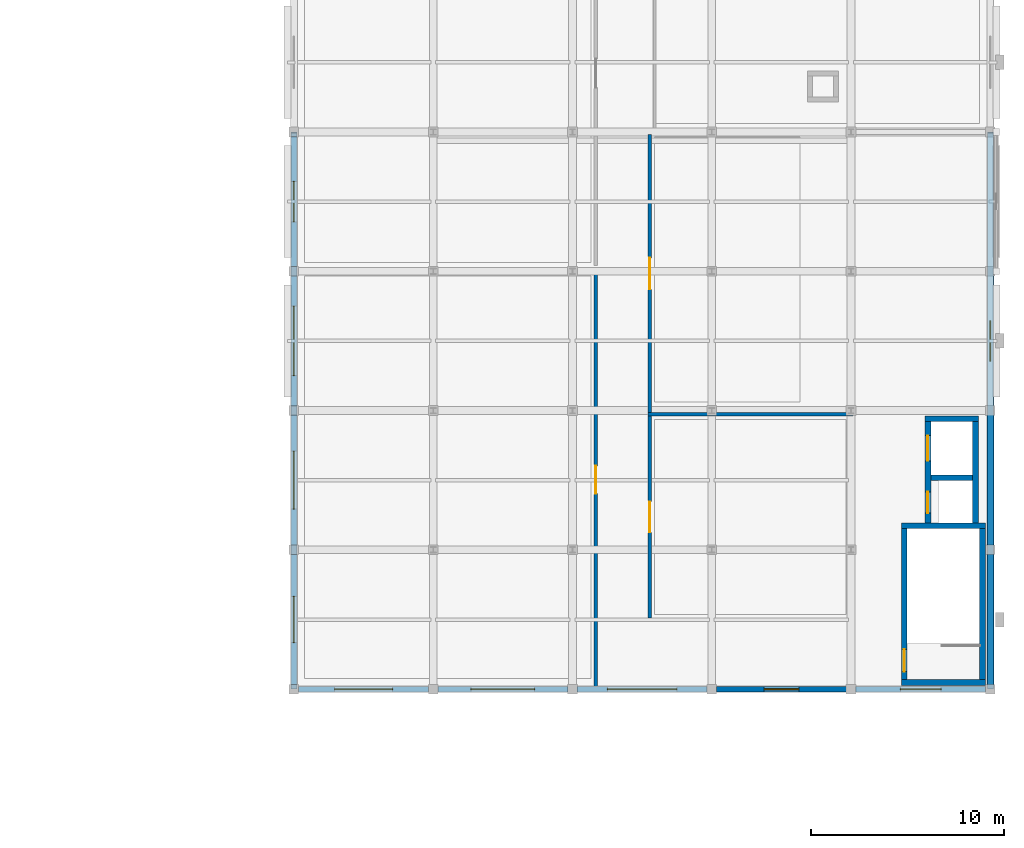
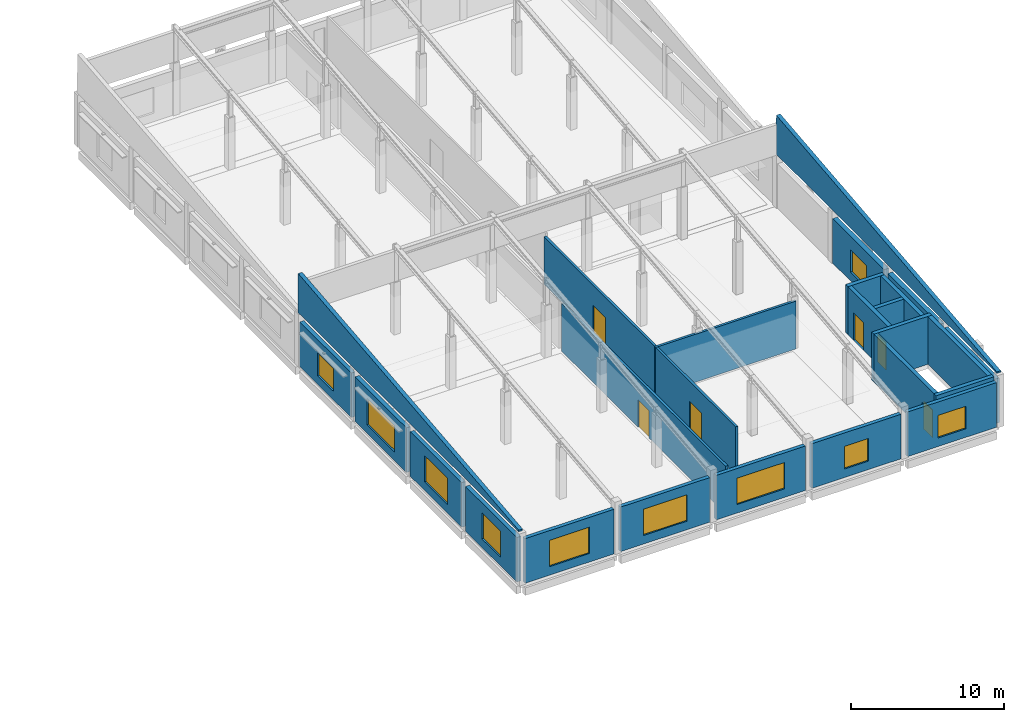
# One storey, part 25 of 33: 26 walls, 10 windows, 6 doors, 16 openings.
"""IFC4 building model written with IfcOpenShell, lengths in metres."""

from ifc_helpers import new_model, si_unit, direction, frame, frame_2d, origin, place, context, subcontext, project, spatial, polyline, rectangle, outline, extrude, material, layer, layer_set, type_object, element, fill, save


model = new_model("IFC4")

# Units and contexts
model_context = context("Model", 3, precision=1e-05, world=origin(), true_north=direction((0.0, 1.0)))
body_context = subcontext(model_context, "Body", "Model", "MODEL_VIEW")
ifc_project = project(units=[si_unit("LENGTHUNIT", "METRE"), si_unit("AREAUNIT", "SQUARE_METRE"), si_unit("VOLUMEUNIT", "CUBIC_METRE"), si_unit("PLANEANGLEUNIT", "RADIAN"), si_unit("MASSUNIT", "GRAM", prefix="KILO")], contexts=[model_context])

# Site, building, storey
site_placement = place(None, origin())
site = spatial("IfcSite", under=ifc_project, at=site_placement, CompositionType="ELEMENT")
building_placement = place(site_placement, origin())
building = spatial("IfcBuilding", under=site, at=building_placement, Name="Valkovuoma Quantum and Materials Research Institute", CompositionType="ELEMENT")
storey_placement = place(building_placement, frame((0.0, 0.0, 25.60009765625)))
storey = spatial("IfcBuildingStorey", under=building, at=storey_placement, Name="L06", CompositionType="ELEMENT", Elevation=25.60009765625)

# Walls
ifc_material_1 = material(Name="Precast concrete C40/50", Category="concrete")
ifc_layer_1 = layer(ifc_material_1, 0.300048828125)
ifc_layer_set_1 = layer_set([ifc_layer_1], Name="Precast concrete C40/50")
wall_type_1 = type_object("IfcWallType", Name="Wall-W-CHK300", PredefinedType="SHEAR", material=ifc_layer_set_1)
for number, where, z_axis, x_axis, name in (
    (1, (129.60009765625, 57.60009765625, 4.159912109375), (0.0, 0.0, 1.0), (0.0, 1.0, 0.0), "L06 VOL4 sawtooth cheek wall 1W"),
    (2, (165.60009765625, 57.60009765625, 4.159912109375), (0.0, 0.0, 1.0), (0.0, 1.0, 0.0), "L06 VOL4 sawtooth cheek wall 1E"),
):
    element("IfcWall", number, at=place(storey_placement, frame(where, z_axis=z_axis, x_axis=x_axis)), inside=storey, type_object=wall_type_1, Name=name, PredefinedType="SHEAR", context=body_context, shape_type="SweptSolid", body=[
        extrude(outline(polyline([(0.0, 0.0), (28.7998046875, 0.0), (28.800048828125, 0.119873046875), (28.760009765625, 3.119873046875), (0.0, 0.119873046875), (0.0, 0.0)])), frame((0.0, 0.14990234375, 0.0), z_axis=(0.0, -1.0, 0.0), x_axis=(1.0, 0.0, 0.0)), (0.0, 0.0, 1.0), 0.300048828125),
    ])
ifc_material_2 = material(Name="Concrete C40/50", Category="concrete")
ifc_layer_2 = layer(ifc_material_2, 0.300048828125)
ifc_layer_set_2 = layer_set([ifc_layer_2], Name="Concrete C40/50")
wall_type_2 = type_object("IfcWallType", Name="Wall-W-COR300", PredefinedType="SHEAR", material=ifc_layer_set_2)
for number, where, z_axis, x_axis, name in (
    (3, (161.0, 57.949951171875, 0.0), (0.0, 0.0, 1.0), (1.0, 0.0, 0.0), "L06 core wall 0255"),
    (4, (161.0, 66.050048828125, 0.0), (0.0, 0.0, 1.0), (1.0, 0.0, 0.0), "L06 core wall 0256"),
):
    element("IfcWall", number, at=place(storey_placement, frame(where, z_axis=z_axis, x_axis=x_axis)), inside=storey, type_object=wall_type_2, Name=name, PredefinedType="SHEAR", context=body_context, shape_type="SweptSolid", body=[
        extrude(rectangle(XDim=4.35009765625, YDim=0.300048828125, at=frame_2d((2.175048828125, 0.0))), origin(), (0.0, 0.0, 1.0), 3.809814453125),
    ])

# Wall, opening, door
wall_1_placement = place(storey_placement, frame((161.14990234375, 58.10009765625, 0.0), z_axis=(0.0, 0.0, 1.0), x_axis=(0.0, 1.0, 0.0)))
wall_1 = element("IfcWall", 5, at=wall_1_placement, inside=storey, type_object=wall_type_2, Name="L06 core wall 0257", PredefinedType="SHEAR", context=body_context, shape_type="SweptSolid", body=[
    extrude(rectangle(XDim=7.7998046875, YDim=0.300048828125, at=frame_2d((3.89990234375, 0.0))), origin(), (0.0, 0.0, 1.0), 3.809814453125),
])
opening_1_placement = place(wall_1_placement, frame((0.39990234375, 0.0, 0.0)))
opening_1 = element("IfcOpeningElement", 6, at=opening_1_placement, cuts=wall_1, Name="Opening SD-041", PredefinedType="OPENING", context=body_context, shape_type="SweptSolid", body=[
    extrude(rectangle(XDim=1.14990234375, YDim=2.199951171875, at=frame_2d((0.574951171875, 1.10009765625))), frame((0.0, 0.16015625, 0.0), z_axis=(0.0, -1.0, 0.0), x_axis=(1.0, 0.0, 0.0)), (0.0, 0.0, 1.0), 0.320068359375),
])
ifc_material_3 = material(Name="Powder-coated steel and acoustic timber door assembly", Category="steel")
door_type_1 = type_object("IfcDoorType", Name="Door-DR-ST60", OperationType="NOTDEFINED", PredefinedType="DOOR", material=ifc_material_3)
door_1_placement = place(opening_1_placement, frame((1.14990234375, 0.0, 0.0), z_axis=(0.0, 0.0, 1.0), x_axis=(-1.0, 0.0, 0.0)))
door_1 = element("IfcDoor", 7, at=door_1_placement, inside=storey, type_object=door_type_1, Name="L06 ST-3 fire door", OperationType="SINGLE_SWING_RIGHT", OverallHeight=2.199951171875, OverallWidth=1.14990234375, PredefinedType="DOOR", context=body_context, shape_type="SweptSolid", body=[
    extrude(rectangle(XDim=1.14990234375, YDim=2.199951171875, at=frame_2d((0.574951171875, 1.10009765625))), frame((0.0, 0.02490234375, 0.0), z_axis=(0.0, -1.0, 0.0), x_axis=(1.0, 0.0, 0.0)), (0.0, 0.0, 1.0), 0.050048828125),
])
fill(opening_1, door_1)

# Walls
wall_2_placement = place(storey_placement, frame((165.199951171875, 58.10009765625, 0.0), z_axis=(0.0, 0.0, 1.0), x_axis=(0.0, 1.0, 0.0)))
element("IfcWall", 8, at=wall_2_placement, inside=storey, type_object=wall_type_2, Name="L06 core wall 0258", PredefinedType="SHEAR", context=body_context, shape_type="SweptSolid", body=[
    extrude(rectangle(XDim=7.7998046875, YDim=0.300048828125, at=frame_2d((3.89990234375, 0.0))), origin(), (0.0, 0.0, 1.0), 3.809814453125),
])
wall_3_placement = place(storey_placement, frame((162.219970703125, 71.580078125, 0.0), z_axis=(0.0, 0.0, 1.0), x_axis=(1.0, 0.0, 0.0)))
element("IfcWall", 9, at=wall_3_placement, inside=storey, type_object=wall_type_2, Name="L06 core wall 0259", PredefinedType="SHEAR", context=body_context, shape_type="SweptSolid", body=[
    extrude(rectangle(XDim=2.760009765625, YDim=0.300048828125, at=frame_2d((1.3798828125, 0.0))), origin(), (0.0, 0.0, 1.0), 3.809814453125),
])
wall_4_placement = place(storey_placement, frame((162.52001953125, 68.52490234375, 0.0), z_axis=(0.0, 0.0, 1.0), x_axis=(1.0, 0.0, 0.0)))
element("IfcWall", 10, at=wall_4_placement, inside=storey, type_object=wall_type_2, Name="L06 core wall 0260", PredefinedType="SHEAR", context=body_context, shape_type="SweptSolid", body=[
    extrude(rectangle(XDim=2.159912109375, YDim=0.300048828125, at=frame_2d((1.080078125, 0.0))), origin(), (0.0, 0.0, 1.0), 3.809814453125),
])

# Wall, openings, doors
wall_5_placement = place(storey_placement, frame((162.3701171875, 66.199951171875, 0.0), z_axis=(0.0, 0.0, 1.0), x_axis=(0.0, 1.0, 0.0)))
wall_5 = element("IfcWall", 11, at=wall_5_placement, inside=storey, type_object=wall_type_2, Name="L06 core wall 0261", PredefinedType="SHEAR", context=body_context, shape_type="SweptSolid", body=[
    extrude(rectangle(XDim=5.22998046875, YDim=0.300048828125, at=frame_2d((2.614990234375, 0.0))), origin(), (0.0, 0.0, 1.0), 3.809814453125),
])
opening_2_placement = place(wall_5_placement, frame((0.5, 0.0, 0.0)))
opening_2 = element("IfcOpeningElement", 12, at=opening_2_placement, cuts=wall_5, Name="Opening LD-048", PredefinedType="OPENING", context=body_context, shape_type="SweptSolid", body=[
    extrude(rectangle(XDim=1.10009765625, YDim=2.199951171875, at=frame_2d((0.550048828125, 1.10009765625))), frame((0.0, 0.16015625, 0.0), z_axis=(0.0, -1.0, 0.0), x_axis=(1.0, 0.0, 0.0)), (0.0, 0.0, 1.0), 0.320068359375),
])
opening_3_placement = place(wall_5_placement, frame((3.199951171875, 0.0, 0.0)))
opening_3 = element("IfcOpeningElement", 13, at=opening_3_placement, cuts=wall_5, Name="Opening LD-049", PredefinedType="OPENING", context=body_context, shape_type="SweptSolid", body=[
    extrude(rectangle(XDim=1.300048828125, YDim=2.199951171875, at=frame_2d((0.64990234375, 1.10009765625))), frame((0.0, 0.16015625, 0.0), z_axis=(0.0, -1.0, 0.0), x_axis=(1.0, 0.0, 0.0)), (0.0, 0.0, 1.0), 0.320068359375),
])
ifc_material_4 = material(Name="Powder-coated steel and acoustic timber door assembly", Category="steel")
door_type_2 = type_object("IfcDoorType", Name="Door-DR-LD01", OperationType="NOTDEFINED", PredefinedType="DOOR", material=ifc_material_4)
door_2_placement = place(opening_2_placement, origin())
door_2 = element("IfcDoor", 14, at=door_2_placement, inside=storey, type_object=door_type_2, Name="L06 LIFT-P3 sliding landing door", OperationType="SLIDING_TO_LEFT", OverallHeight=2.199951171875, OverallWidth=1.10009765625, PredefinedType="DOOR", context=body_context, shape_type="SweptSolid", body=[
    extrude(rectangle(XDim=1.10009765625, YDim=2.199951171875, at=frame_2d((0.550048828125, 1.10009765625))), frame((0.0, 0.02490234375, 0.0), z_axis=(0.0, -1.0, 0.0), x_axis=(1.0, 0.0, 0.0)), (0.0, 0.0, 1.0), 0.050048828125),
])
fill(opening_2, door_2)
ifc_material_5 = material(Name="Powder-coated steel and acoustic timber door assembly", Category="steel")
door_type_3 = type_object("IfcDoorType", Name="Door-DR-LD02", OperationType="NOTDEFINED", PredefinedType="DOOR", material=ifc_material_5)
door_3_placement = place(opening_3_placement, origin())
door_3 = element("IfcDoor", 15, at=door_3_placement, inside=storey, type_object=door_type_3, Name="L06 LIFT-G1 sliding landing door", OperationType="SLIDING_TO_LEFT", OverallHeight=2.199951171875, OverallWidth=1.300048828125, PredefinedType="DOOR", context=body_context, shape_type="SweptSolid", body=[
    extrude(rectangle(XDim=1.300048828125, YDim=2.199951171875, at=frame_2d((0.64990234375, 1.10009765625))), frame((0.0, 0.02490234375, 0.0), z_axis=(0.0, -1.0, 0.0), x_axis=(1.0, 0.0, 0.0)), (0.0, 0.0, 1.0), 0.050048828125),
])
fill(opening_3, door_3)

# Wall
wall_6_placement = place(storey_placement, frame((164.830078125, 66.199951171875, 0.0), z_axis=(0.0, 0.0, 1.0), x_axis=(0.0, 1.0, 0.0)))
element("IfcWall", 16, at=wall_6_placement, inside=storey, type_object=wall_type_2, Name="L06 core wall 0262", PredefinedType="SHEAR", context=body_context, shape_type="SweptSolid", body=[
    extrude(rectangle(XDim=5.22998046875, YDim=0.300048828125, at=frame_2d((2.614990234375, 0.0))), origin(), (0.0, 0.0, 1.0), 3.809814453125),
])

# Wall, opening, window
ifc_material_6 = material(Name="Precast concrete C40/50", Category="concrete")
ifc_layer_3 = layer(ifc_material_6, 0.280029296875)
ifc_layer_set_3 = layer_set([ifc_layer_3], Name="Precast concrete C40/50")
wall_type_3 = type_object("IfcWallType", Name="Wall-W-EXT280", PredefinedType="SOLIDWALL", material=ifc_layer_set_3)
wall_7_placement = place(storey_placement, frame((129.840087890625, 57.60009765625, 0.0), z_axis=(0.0, 0.0, 1.0), x_axis=(1.0, 0.0, 0.0)))
wall_7 = element("IfcWall", 17, at=wall_7_placement, inside=storey, type_object=wall_type_3, Name="L06 exterior wall 0380", PredefinedType="SOLIDWALL", context=body_context, shape_type="SweptSolid", body=[
    extrude(rectangle(XDim=6.719970703125, YDim=0.280029296875, at=frame_2d((3.35986328125, 0.0))), origin(), (0.0, 0.0, 1.0), 3.5498046875),
])
opening_4_placement = place(wall_7_placement, frame((1.860107421875, 0.0, 0.679931640625)))
opening_4 = element("IfcOpeningElement", 18, at=opening_4_placement, cuts=wall_7, Name="Opening WN-WL05", PredefinedType="OPENING", context=body_context, shape_type="SweptSolid", body=[
    extrude(rectangle(XDim=3.0, YDim=2.10009765625, at=frame_2d((1.5, 1.050048828125))), frame((0.0, 0.14990234375, 0.0), z_axis=(0.0, -1.0, 0.0), x_axis=(1.0, 0.0, 0.0)), (0.0, 0.0, 1.0), 0.300048828125),
])
ifc_material_7 = material(Name="Triple low-E argon glazing in thermally broken aluminium frame", Category="aluminium")
window_type_1 = type_object("IfcWindowType", Name="Win-WN-WL05", PartitioningType="SINGLE_PANEL", PredefinedType="WINDOW", material=ifc_material_7)
window_1_placement = place(opening_4_placement, origin())
window_1 = element("IfcWindow", 19, at=window_1_placement, inside=storey, type_object=window_type_1, Name="L06 window 0374", OverallHeight=2.10009765625, OverallWidth=3.0, PartitioningType="SINGLE_PANEL", PredefinedType="WINDOW", context=body_context, shape_type="SweptSolid", body=[
    extrude(rectangle(XDim=3.0, YDim=2.10009765625, at=frame_2d((1.5, 1.050048828125))), frame((0.0, 0.030029296875, 0.0), z_axis=(0.0, -1.0, 0.0), x_axis=(1.0, 0.0, 0.0)), (0.0, 0.0, 1.0), 0.06005859375),
])
fill(opening_4, window_1)

wall_8_placement = place(storey_placement, frame((137.0400390625, 57.60009765625, 0.0), z_axis=(0.0, 0.0, 1.0), x_axis=(1.0, 0.0, 0.0)))
wall_8 = element("IfcWall", 20, at=wall_8_placement, inside=storey, type_object=wall_type_3, Name="L06 exterior wall 0381", PredefinedType="SOLIDWALL", context=body_context, shape_type="SweptSolid", body=[
    extrude(rectangle(XDim=6.719970703125, YDim=0.280029296875, at=frame_2d((3.35986328125, 0.0))), origin(), (0.0, 0.0, 1.0), 3.5498046875),
])
opening_5_placement = place(wall_8_placement, frame((1.7099609375, 0.0, 0.679931640625)))
opening_5 = element("IfcOpeningElement", 21, at=opening_5_placement, cuts=wall_8, Name="Opening WN-WL06", PredefinedType="OPENING", context=body_context, shape_type="SweptSolid", body=[
    extrude(rectangle(XDim=3.300048828125, YDim=2.10009765625, at=frame_2d((1.64990234375, 1.050048828125))), frame((0.0, 0.14990234375, 0.0), z_axis=(0.0, -1.0, 0.0), x_axis=(1.0, 0.0, 0.0)), (0.0, 0.0, 1.0), 0.300048828125),
])
ifc_material_8 = material(Name="Triple low-E argon glazing in thermally broken aluminium frame", Category="aluminium")
window_type_2 = type_object("IfcWindowType", Name="Win-WN-WL06", PartitioningType="SINGLE_PANEL", PredefinedType="WINDOW", material=ifc_material_8)
window_2_placement = place(opening_5_placement, origin())
window_2 = element("IfcWindow", 22, at=window_2_placement, inside=storey, type_object=window_type_2, Name="L06 window 0375", OverallHeight=2.10009765625, OverallWidth=3.300048828125, PartitioningType="SINGLE_PANEL", PredefinedType="WINDOW", context=body_context, shape_type="SweptSolid", body=[
    extrude(rectangle(XDim=3.300048828125, YDim=2.10009765625, at=frame_2d((1.64990234375, 1.050048828125))), frame((0.0, 0.030029296875, 0.0), z_axis=(0.0, -1.0, 0.0), x_axis=(1.0, 0.0, 0.0)), (0.0, 0.0, 1.0), 0.06005859375),
])
fill(opening_5, window_2)

wall_9_placement = place(storey_placement, frame((144.239990234375, 57.60009765625, 0.0), z_axis=(0.0, 0.0, 1.0), x_axis=(1.0, 0.0, 0.0)))
wall_9 = element("IfcWall", 23, at=wall_9_placement, inside=storey, type_object=wall_type_3, Name="L06 exterior wall 0382", PredefinedType="SOLIDWALL", context=body_context, shape_type="SweptSolid", body=[
    extrude(rectangle(XDim=6.719970703125, YDim=0.280029296875, at=frame_2d((3.35986328125, 0.0))), origin(), (0.0, 0.0, 1.0), 3.5498046875),
])
opening_6_placement = place(wall_9_placement, frame((1.56005859375, 0.0, 0.679931640625)))
opening_6 = element("IfcOpeningElement", 24, at=opening_6_placement, cuts=wall_9, Name="Opening WN-WL07", PredefinedType="OPENING", context=body_context, shape_type="SweptSolid", body=[
    extrude(rectangle(XDim=3.60009765625, YDim=2.10009765625, at=frame_2d((1.800048828125, 1.050048828125))), frame((0.0, 0.14990234375, 0.0), z_axis=(0.0, -1.0, 0.0), x_axis=(1.0, 0.0, 0.0)), (0.0, 0.0, 1.0), 0.300048828125),
])
ifc_material_9 = material(Name="Triple low-E argon glazing in thermally broken aluminium frame", Category="aluminium")
window_type_3 = type_object("IfcWindowType", Name="Win-WN-WL07", PartitioningType="SINGLE_PANEL", PredefinedType="WINDOW", material=ifc_material_9)
window_3_placement = place(opening_6_placement, origin())
window_3 = element("IfcWindow", 25, at=window_3_placement, inside=storey, type_object=window_type_3, Name="L06 window 0376", OverallHeight=2.10009765625, OverallWidth=3.60009765625, PartitioningType="SINGLE_PANEL", PredefinedType="WINDOW", context=body_context, shape_type="SweptSolid", body=[
    extrude(rectangle(XDim=3.60009765625, YDim=2.10009765625, at=frame_2d((1.800048828125, 1.050048828125))), frame((0.0, 0.030029296875, 0.0), z_axis=(0.0, -1.0, 0.0), x_axis=(1.0, 0.0, 0.0)), (0.0, 0.0, 1.0), 0.06005859375),
])
fill(opening_6, window_3)

wall_10_placement = place(storey_placement, frame((151.43994140625, 57.60009765625, 0.0), z_axis=(0.0, 0.0, 1.0), x_axis=(1.0, 0.0, 0.0)))
wall_10 = element("IfcWall", 26, at=wall_10_placement, inside=storey, type_object=wall_type_3, Name="L06 exterior wall 0383", PredefinedType="SOLIDWALL", context=body_context, shape_type="SweptSolid", body=[
    extrude(rectangle(XDim=6.719970703125, YDim=0.280029296875, at=frame_2d((3.35986328125, 0.0))), origin(), (0.0, 0.0, 1.0), 3.5498046875),
])
opening_7_placement = place(wall_10_placement, frame((2.4599609375, 0.0, 0.679931640625)))
opening_7 = element("IfcOpeningElement", 27, at=opening_7_placement, cuts=wall_10, Name="Opening WN-WL08", PredefinedType="OPENING", context=body_context, shape_type="SweptSolid", body=[
    extrude(rectangle(XDim=1.800048828125, YDim=1.800048828125, at=frame_2d((0.89990234375, 0.89990234375))), frame((0.0, 0.14990234375, 0.0), z_axis=(0.0, -1.0, 0.0), x_axis=(1.0, 0.0, 0.0)), (0.0, 0.0, 1.0), 0.300048828125),
])
ifc_material_10 = material(Name="Triple low-E argon glazing in thermally broken aluminium frame", Category="aluminium")
window_type_4 = type_object("IfcWindowType", Name="Win-WN-WL08", PartitioningType="SINGLE_PANEL", PredefinedType="WINDOW", material=ifc_material_10)
window_4_placement = place(opening_7_placement, origin())
window_4 = element("IfcWindow", 28, at=window_4_placement, inside=storey, type_object=window_type_4, Name="L06 window 0377", OverallHeight=1.800048828125, OverallWidth=1.800048828125, PartitioningType="SINGLE_PANEL", PredefinedType="WINDOW", context=body_context, shape_type="SweptSolid", body=[
    extrude(rectangle(XDim=1.800048828125, YDim=1.800048828125, at=frame_2d((0.89990234375, 0.89990234375))), frame((0.0, 0.030029296875, 0.0), z_axis=(0.0, -1.0, 0.0), x_axis=(1.0, 0.0, 0.0)), (0.0, 0.0, 1.0), 0.06005859375),
])
fill(opening_7, window_4)

wall_11_placement = place(storey_placement, frame((158.639892578125, 57.60009765625, 0.0), z_axis=(0.0, 0.0, 1.0), x_axis=(1.0, 0.0, 0.0)))
wall_11 = element("IfcWall", 29, at=wall_11_placement, inside=storey, type_object=wall_type_3, Name="L06 exterior wall 0384", PredefinedType="SOLIDWALL", context=body_context, shape_type="SweptSolid", body=[
    extrude(rectangle(XDim=6.72021484375, YDim=0.280029296875, at=frame_2d((3.360107421875, 0.0))), origin(), (0.0, 0.0, 1.0), 3.5498046875),
])
opening_8_placement = place(wall_11_placement, frame((2.31005859375, 0.0, 0.679931640625)))
opening_8 = element("IfcOpeningElement", 30, at=opening_8_placement, cuts=wall_11, Name="Opening WN-WL09", PredefinedType="OPENING", context=body_context, shape_type="SweptSolid", body=[
    extrude(rectangle(XDim=2.10009765625, YDim=1.800048828125, at=frame_2d((1.050048828125, 0.89990234375))), frame((0.0, 0.14990234375, 0.0), z_axis=(0.0, -1.0, 0.0), x_axis=(1.0, 0.0, 0.0)), (0.0, 0.0, 1.0), 0.300048828125),
])
ifc_material_11 = material(Name="Triple low-E argon glazing in thermally broken aluminium frame", Category="aluminium")
window_type_5 = type_object("IfcWindowType", Name="Win-WN-WL09", PartitioningType="SINGLE_PANEL", PredefinedType="WINDOW", material=ifc_material_11)
window_5_placement = place(opening_8_placement, origin())
window_5 = element("IfcWindow", 31, at=window_5_placement, inside=storey, type_object=window_type_5, Name="L06 window 0378", OverallHeight=1.800048828125, OverallWidth=2.10009765625, PartitioningType="SINGLE_PANEL", PredefinedType="WINDOW", context=body_context, shape_type="SweptSolid", body=[
    extrude(rectangle(XDim=2.10009765625, YDim=1.800048828125, at=frame_2d((1.050048828125, 0.89990234375))), frame((0.0, 0.030029296875, 0.0), z_axis=(0.0, -1.0, 0.0), x_axis=(1.0, 0.0, 0.0)), (0.0, 0.0, 1.0), 0.06005859375),
])
fill(opening_8, window_5)

ifc_material_12 = material(Name="Precast concrete C40/50", Category="concrete")
ifc_layer_4 = layer(ifc_material_12, 0.300048828125)
ifc_layer_set_4 = layer_set([ifc_layer_4], Name="Precast concrete C40/50")
wall_type_4 = type_object("IfcWallType", Name="Wall-W-EXT300", PredefinedType="SOLIDWALL", material=ifc_layer_set_4)
wall_12_placement = place(storey_placement, frame((129.60009765625, 57.840087890625, 0.0), z_axis=(0.0, 0.0, 1.0), x_axis=(0.0, 1.0, 0.0)))
wall_12 = element("IfcWall", 32, at=wall_12_placement, inside=storey, type_object=wall_type_4, Name="L06 exterior wall 0372", PredefinedType="SOLIDWALL", context=body_context, shape_type="SweptSolid", body=[
    extrude(rectangle(XDim=6.719970703125, YDim=0.300048828125, at=frame_2d((3.35986328125, 0.0))), origin(), (0.0, 0.0, 1.0), 3.5498046875),
])
opening_9_placement = place(wall_12_placement, frame((2.159912109375, 0.0, 0.679931640625)))
opening_9 = element("IfcOpeningElement", 33, at=opening_9_placement, cuts=wall_12, Name="Opening WN-WL03", PredefinedType="OPENING", context=body_context, shape_type="SweptSolid", body=[
    extrude(rectangle(XDim=2.39990234375, YDim=2.10009765625, at=frame_2d((1.199951171875, 1.050048828125))), frame((0.0, 0.16015625, 0.0), z_axis=(0.0, -1.0, 0.0), x_axis=(1.0, 0.0, 0.0)), (0.0, 0.0, 1.0), 0.320068359375),
])
ifc_material_13 = material(Name="Triple low-E argon glazing in thermally broken aluminium frame", Category="aluminium")
window_type_6 = type_object("IfcWindowType", Name="Win-WN-WL03", PartitioningType="SINGLE_PANEL", PredefinedType="WINDOW", material=ifc_material_13)
window_6_placement = place(opening_9_placement, origin())
window_6 = element("IfcWindow", 34, at=window_6_placement, inside=storey, type_object=window_type_6, Name="L06 window 0366", OverallHeight=2.10009765625, OverallWidth=2.39990234375, PartitioningType="SINGLE_PANEL", PredefinedType="WINDOW", context=body_context, shape_type="SweptSolid", body=[
    extrude(rectangle(XDim=2.39990234375, YDim=2.10009765625, at=frame_2d((1.199951171875, 1.050048828125))), frame((0.0, 0.030029296875, 0.0), z_axis=(0.0, -1.0, 0.0), x_axis=(1.0, 0.0, 0.0)), (0.0, 0.0, 1.0), 0.06005859375),
])
fill(opening_9, window_6)

wall_13_placement = place(storey_placement, frame((129.60009765625, 65.0400390625, 0.0), z_axis=(0.0, 0.0, 1.0), x_axis=(0.0, 1.0, 0.0)))
wall_13 = element("IfcWall", 35, at=wall_13_placement, inside=storey, type_object=wall_type_4, Name="L06 exterior wall 0373", PredefinedType="SOLIDWALL", context=body_context, shape_type="SweptSolid", body=[
    extrude(rectangle(XDim=6.719970703125, YDim=0.300048828125, at=frame_2d((3.35986328125, 0.0))), origin(), (0.0, 0.0, 1.0), 3.5498046875),
])
opening_10_placement = place(wall_13_placement, frame((1.860107421875, 0.0, 0.679931640625)))
opening_10 = element("IfcOpeningElement", 36, at=opening_10_placement, cuts=wall_13, Name="Opening WN-WL05", PredefinedType="OPENING", context=body_context, shape_type="SweptSolid", body=[
    extrude(rectangle(XDim=3.0, YDim=2.10009765625, at=frame_2d((1.5, 1.050048828125))), frame((0.0, 0.16015625, 0.0), z_axis=(0.0, -1.0, 0.0), x_axis=(1.0, 0.0, 0.0)), (0.0, 0.0, 1.0), 0.320068359375),
])
window_7_placement = place(opening_10_placement, origin())
window_7 = element("IfcWindow", 37, at=window_7_placement, inside=storey, type_object=window_type_1, Name="L06 window 0367", OverallHeight=2.10009765625, OverallWidth=3.0, PartitioningType="SINGLE_PANEL", PredefinedType="WINDOW", context=body_context, shape_type="SweptSolid", body=[
    extrude(rectangle(XDim=3.0, YDim=2.10009765625, at=frame_2d((1.5, 1.050048828125))), frame((0.0, 0.030029296875, 0.0), z_axis=(0.0, -1.0, 0.0), x_axis=(1.0, 0.0, 0.0)), (0.0, 0.0, 1.0), 0.06005859375),
])
fill(opening_10, window_7)

wall_14_placement = place(storey_placement, frame((129.60009765625, 72.239990234375, 0.0), z_axis=(0.0, 0.0, 1.0), x_axis=(0.0, 1.0, 0.0)))
wall_14 = element("IfcWall", 38, at=wall_14_placement, inside=storey, type_object=wall_type_4, Name="L06 exterior wall 0374", PredefinedType="SOLIDWALL", context=body_context, shape_type="SweptSolid", body=[
    extrude(rectangle(XDim=6.719970703125, YDim=0.300048828125, at=frame_2d((3.35986328125, 0.0))), origin(), (0.0, 0.0, 1.0), 3.5498046875),
])
opening_11_placement = place(wall_14_placement, frame((1.56005859375, 0.0, 0.679931640625)))
opening_11 = element("IfcOpeningElement", 39, at=opening_11_placement, cuts=wall_14, Name="Opening WN-WL07", PredefinedType="OPENING", context=body_context, shape_type="SweptSolid", body=[
    extrude(rectangle(XDim=3.60009765625, YDim=2.10009765625, at=frame_2d((1.800048828125, 1.050048828125))), frame((0.0, 0.16015625, 0.0), z_axis=(0.0, -1.0, 0.0), x_axis=(1.0, 0.0, 0.0)), (0.0, 0.0, 1.0), 0.320068359375),
])
window_8_placement = place(opening_11_placement, origin())
window_8 = element("IfcWindow", 40, at=window_8_placement, inside=storey, type_object=window_type_3, Name="L06 window 0368", OverallHeight=2.10009765625, OverallWidth=3.60009765625, PartitioningType="SINGLE_PANEL", PredefinedType="WINDOW", context=body_context, shape_type="SweptSolid", body=[
    extrude(rectangle(XDim=3.60009765625, YDim=2.10009765625, at=frame_2d((1.800048828125, 1.050048828125))), frame((0.0, 0.030029296875, 0.0), z_axis=(0.0, -1.0, 0.0), x_axis=(1.0, 0.0, 0.0)), (0.0, 0.0, 1.0), 0.06005859375),
])
fill(opening_11, window_8)

wall_15_placement = place(storey_placement, frame((129.60009765625, 79.43994140625, 0.0), z_axis=(0.0, 0.0, 1.0), x_axis=(0.0, 1.0, 0.0)))
wall_15 = element("IfcWall", 41, at=wall_15_placement, inside=storey, type_object=wall_type_4, Name="L06 exterior wall 0375", PredefinedType="SOLIDWALL", context=body_context, shape_type="SweptSolid", body=[
    extrude(rectangle(XDim=6.719970703125, YDim=0.300048828125, at=frame_2d((3.35986328125, 0.0))), origin(), (0.0, 0.0, 1.0), 3.5498046875),
])
opening_12_placement = place(wall_15_placement, frame((2.31005859375, 0.0, 0.679931640625)))
opening_12 = element("IfcOpeningElement", 42, at=opening_12_placement, cuts=wall_15, Name="Opening WN-WL09", PredefinedType="OPENING", context=body_context, shape_type="SweptSolid", body=[
    extrude(rectangle(XDim=2.10009765625, YDim=1.800048828125, at=frame_2d((1.050048828125, 0.89990234375))), frame((0.0, 0.16015625, 0.0), z_axis=(0.0, -1.0, 0.0), x_axis=(1.0, 0.0, 0.0)), (0.0, 0.0, 1.0), 0.320068359375),
])
window_9_placement = place(opening_12_placement, origin())
window_9 = element("IfcWindow", 43, at=window_9_placement, inside=storey, type_object=window_type_5, Name="L06 window 0369", OverallHeight=1.800048828125, OverallWidth=2.10009765625, PartitioningType="SINGLE_PANEL", PredefinedType="WINDOW", context=body_context, shape_type="SweptSolid", body=[
    extrude(rectangle(XDim=2.10009765625, YDim=1.800048828125, at=frame_2d((1.050048828125, 0.89990234375))), frame((0.0, 0.030029296875, 0.0), z_axis=(0.0, -1.0, 0.0), x_axis=(1.0, 0.0, 0.0)), (0.0, 0.0, 1.0), 0.06005859375),
])
fill(opening_12, window_9)

# Walls
ifc_material_14 = material(Name="Precast concrete C40/50", Category="concrete")
ifc_layer_5 = layer(ifc_material_14, 0.360107421875)
ifc_layer_set_5 = layer_set([ifc_layer_5], Name="Precast concrete C40/50")
wall_type_5 = type_object("IfcWallType", Name="Wall-W-EXT360", PredefinedType="SOLIDWALL", material=ifc_layer_set_5)
for number, where, z_axis, x_axis, name in (
    (44, (165.60009765625, 57.840087890625, 0.0), (0.0, 0.0, 1.0), (0.0, 1.0, 0.0), "L06 exterior wall 0359"),
    (45, (165.60009765625, 65.0400390625, 0.0), (0.0, 0.0, 1.0), (0.0, 1.0, 0.0), "L06 exterior wall 0360"),
):
    element("IfcWall", number, at=place(storey_placement, frame(where, z_axis=z_axis, x_axis=x_axis)), inside=storey, type_object=wall_type_5, Name=name, PredefinedType="SOLIDWALL", context=body_context, shape_type="SweptSolid", body=[
        extrude(rectangle(XDim=6.719970703125, YDim=0.360107421875, at=frame_2d((3.35986328125, 0.0))), origin(), (0.0, 0.0, 1.0), 3.5498046875),
    ])

# Wall, opening, window
wall_16_placement = place(storey_placement, frame((165.60009765625, 72.239990234375, 0.0), z_axis=(0.0, 0.0, 1.0), x_axis=(0.0, 1.0, 0.0)))
wall_16 = element("IfcWall", 46, at=wall_16_placement, inside=storey, type_object=wall_type_5, Name="L06 exterior wall 0361", PredefinedType="SOLIDWALL", context=body_context, shape_type="SweptSolid", body=[
    extrude(rectangle(XDim=6.719970703125, YDim=0.360107421875, at=frame_2d((3.35986328125, 0.0))), origin(), (0.0, 0.0, 1.0), 3.5498046875),
])
opening_13_placement = place(wall_16_placement, frame((2.31005859375, 0.0, 0.679931640625)))
opening_13 = element("IfcOpeningElement", 47, at=opening_13_placement, cuts=wall_16, Name="Opening WN-WL09", PredefinedType="OPENING", context=body_context, shape_type="SweptSolid", body=[
    extrude(rectangle(XDim=2.10009765625, YDim=1.800048828125, at=frame_2d((1.050048828125, 0.89990234375))), frame((0.0, 0.18994140625, 0.0), z_axis=(0.0, -1.0, 0.0), x_axis=(1.0, 0.0, 0.0)), (0.0, 0.0, 1.0), 0.380126953125),
])
window_10_placement = place(opening_13_placement, origin())
window_10 = element("IfcWindow", 48, at=window_10_placement, inside=storey, type_object=window_type_5, Name="L06 window 0358", OverallHeight=1.800048828125, OverallWidth=2.10009765625, PartitioningType="SINGLE_PANEL", PredefinedType="WINDOW", context=body_context, shape_type="SweptSolid", body=[
    extrude(rectangle(XDim=2.10009765625, YDim=1.800048828125, at=frame_2d((1.050048828125, 0.89990234375))), frame((0.0, 0.030029296875, 0.0), z_axis=(0.0, -1.0, 0.0), x_axis=(1.0, 0.0, 0.0)), (0.0, 0.0, 1.0), 0.06005859375),
])
fill(opening_13, window_10)

# Wall, opening, door
ifc_material_15 = material(Name="Laboratory fire-rated gypsum partition", Category="masonry")
ifc_layer_6 = layer(ifc_material_15, 0.179931640625)
ifc_layer_set_6 = layer_set([ifc_layer_6], Name="Laboratory fire-rated gypsum partition")
wall_type_6 = type_object("IfcWallType", Name="Wall-W-PRT180", PredefinedType="PARTITIONING", material=ifc_layer_set_6)
wall_17_placement = place(storey_placement, frame((145.199951171875, 57.739990234375, 0.0), z_axis=(0.0, 0.0, 1.0), x_axis=(0.0, 1.0, 0.0)))
wall_17 = element("IfcWall", 49, at=wall_17_placement, inside=storey, type_object=wall_type_6, Name="L06 partition 0240", PredefinedType="PARTITIONING", context=body_context, shape_type="SweptSolid", body=[
    extrude(rectangle(XDim=21.3701171875, YDim=0.179931640625, at=frame_2d((10.68505859375, 0.0))), origin(), (0.0, 0.0, 1.0), 3.809814453125),
])
opening_14_placement = place(wall_17_placement, frame((9.969970703125, 0.0, 0.0)))
opening_14 = element("IfcOpeningElement", 50, at=opening_14_placement, cuts=wall_17, Name="Opening ID-0171", PredefinedType="OPENING", context=body_context, shape_type="SweptSolid", body=[
    extrude(rectangle(XDim=1.429931640625, YDim=2.179931640625, at=frame_2d((0.71484375, 1.08984375))), frame((0.0, 0.10009765625, 0.0), z_axis=(0.0, -1.0, 0.0), x_axis=(1.0, 0.0, 0.0)), (0.0, 0.0, 1.0), 0.199951171875),
])
ifc_material_16 = material(Name="Powder-coated steel and acoustic timber door assembly", Category="steel")
door_type_4 = type_object("IfcDoorType", Name="Door-DR-RM11", OperationType="NOTDEFINED", PredefinedType="DOOR", material=ifc_material_16)
door_4_placement = place(opening_14_placement, origin())
door_4 = element("IfcDoor", 51, at=door_4_placement, inside=storey, type_object=door_type_4, Name="L06 room door 0171", OperationType="SINGLE_SWING_RIGHT", OverallHeight=2.179931640625, OverallWidth=1.429931640625, PredefinedType="DOOR", context=body_context, shape_type="SweptSolid", body=[
    extrude(rectangle(XDim=1.429931640625, YDim=2.179931640625, at=frame_2d((0.71484375, 1.08984375))), frame((0.0, 0.02490234375, 0.0), z_axis=(0.0, -1.0, 0.0), x_axis=(1.0, 0.0, 0.0)), (0.0, 0.0, 1.0), 0.050048828125),
])
fill(opening_14, door_4)

# Wall
wall_18_placement = place(storey_placement, frame((147.909912109375, 71.800048828125, 0.0), z_axis=(0.0, 0.0, 1.0), x_axis=(1.0, 0.0, 0.0)))
element("IfcWall", 52, at=wall_18_placement, inside=storey, type_object=wall_type_6, Name="L06 partition 0243", PredefinedType="PARTITIONING", context=body_context, shape_type="SweptSolid", body=[
    extrude(rectangle(XDim=10.580078125, YDim=0.179931640625, at=frame_2d((5.2900390625, 0.0))), origin(), (0.0, 0.0, 1.0), 3.809814453125),
])

# Wall, opening, door
wall_19_placement = place(storey_placement, frame((148.0, 61.2900390625, 0.0), z_axis=(0.0, 0.0, 1.0), x_axis=(0.0, 1.0, 0.0)))
wall_19 = element("IfcWall", 53, at=wall_19_placement, inside=storey, type_object=wall_type_6, Name="L06 partition 0244", PredefinedType="PARTITIONING", context=body_context, shape_type="SweptSolid", body=[
    extrude(rectangle(XDim=10.419921875, YDim=0.179931640625, at=frame_2d((5.2099609375, 0.0))), origin(), (0.0, 0.0, 1.0), 3.809814453125),
])
opening_15_placement = place(wall_19_placement, frame((4.419921875, 0.0, 0.0)))
opening_15 = element("IfcOpeningElement", 54, at=opening_15_placement, cuts=wall_19, Name="Opening ID-0174", PredefinedType="OPENING", context=body_context, shape_type="SweptSolid", body=[
    extrude(rectangle(XDim=1.580078125, YDim=2.219970703125, at=frame_2d((0.7900390625, 1.10986328125))), frame((0.0, 0.10009765625, 0.0), z_axis=(0.0, -1.0, 0.0), x_axis=(1.0, 0.0, 0.0)), (0.0, 0.0, 1.0), 0.199951171875),
])
ifc_material_17 = material(Name="Powder-coated steel and acoustic timber door assembly", Category="steel")
door_type_5 = type_object("IfcDoorType", Name="Door-DR-RM14", OperationType="NOTDEFINED", PredefinedType="DOOR", material=ifc_material_17)
door_5_placement = place(opening_15_placement, origin())
door_5 = element("IfcDoor", 55, at=door_5_placement, inside=storey, type_object=door_type_5, Name="L06 room door 0174", OperationType="DOUBLE_DOOR_SINGLE_SWING", OverallHeight=2.219970703125, OverallWidth=1.580078125, PredefinedType="DOOR", context=body_context, shape_type="SweptSolid", body=[
    extrude(rectangle(XDim=1.580078125, YDim=2.219970703125, at=frame_2d((0.7900390625, 1.10986328125))), frame((0.0, 0.02490234375, 0.0), z_axis=(0.0, -1.0, 0.0), x_axis=(1.0, 0.0, 0.0)), (0.0, 0.0, 1.0), 0.050048828125),
])
fill(opening_15, door_5)

wall_20_placement = place(storey_placement, frame((148.0, 71.889892578125, 0.0), z_axis=(0.0, 0.0, 1.0), x_axis=(0.0, 1.0, 0.0)))
wall_20 = element("IfcWall", 56, at=wall_20_placement, inside=storey, type_object=wall_type_6, Name="L06 partition 0245", PredefinedType="PARTITIONING", context=body_context, shape_type="SweptSolid", body=[
    extrude(rectangle(XDim=14.380126953125, YDim=0.179931640625, at=frame_2d((7.18994140625, 0.0))), origin(), (0.0, 0.0, 1.0), 3.809814453125),
])
opening_16_placement = place(wall_20_placement, frame((6.375, 0.0, 0.0)))
opening_16 = element("IfcOpeningElement", 57, at=opening_16_placement, cuts=wall_20, Name="Opening ID-0175", PredefinedType="OPENING", context=body_context, shape_type="SweptSolid", body=[
    extrude(rectangle(XDim=1.6298828125, YDim=2.219970703125, at=frame_2d((0.81494140625, 1.10986328125))), frame((0.0, 0.10009765625, 0.0), z_axis=(0.0, -1.0, 0.0), x_axis=(1.0, 0.0, 0.0)), (0.0, 0.0, 1.0), 0.199951171875),
])
ifc_material_18 = material(Name="Powder-coated steel and acoustic timber door assembly", Category="steel")
door_type_6 = type_object("IfcDoorType", Name="Door-DR-RM15", OperationType="NOTDEFINED", PredefinedType="DOOR", material=ifc_material_18)
door_6_placement = place(opening_16_placement, origin())
door_6 = element("IfcDoor", 58, at=door_6_placement, inside=storey, type_object=door_type_6, Name="L06 room door 0175", OperationType="DOUBLE_DOOR_SINGLE_SWING", OverallHeight=2.219970703125, OverallWidth=1.6298828125, PredefinedType="DOOR", context=body_context, shape_type="SweptSolid", body=[
    extrude(rectangle(XDim=1.6298828125, YDim=2.219970703125, at=frame_2d((0.81494140625, 1.10986328125))), frame((0.0, 0.02490234375, 0.0), z_axis=(0.0, -1.0, 0.0), x_axis=(1.0, 0.0, 0.0)), (0.0, 0.0, 1.0), 0.050048828125),
])
fill(opening_16, door_6)

save(model, "model.ifc")
